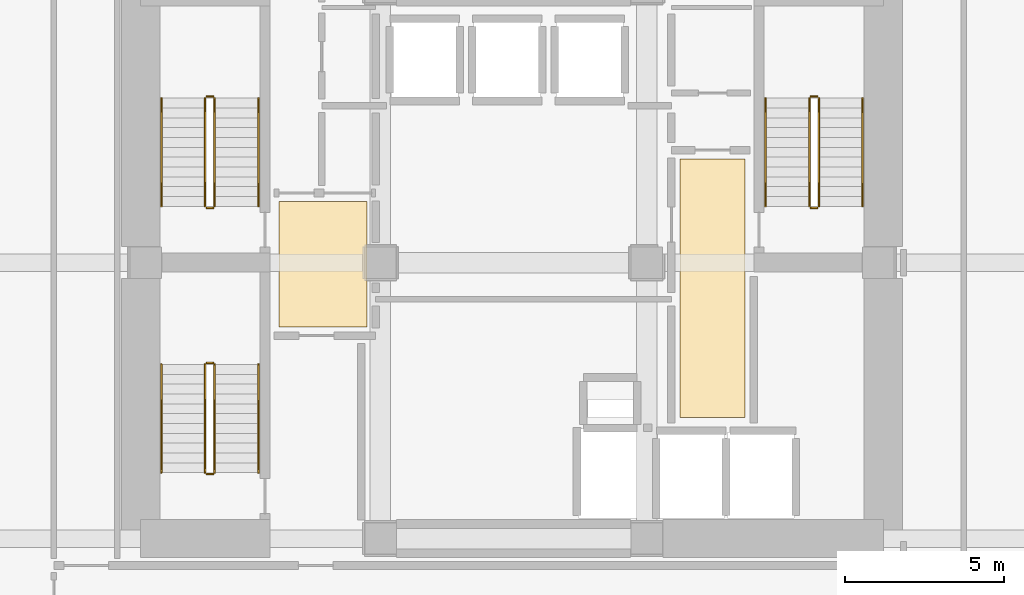
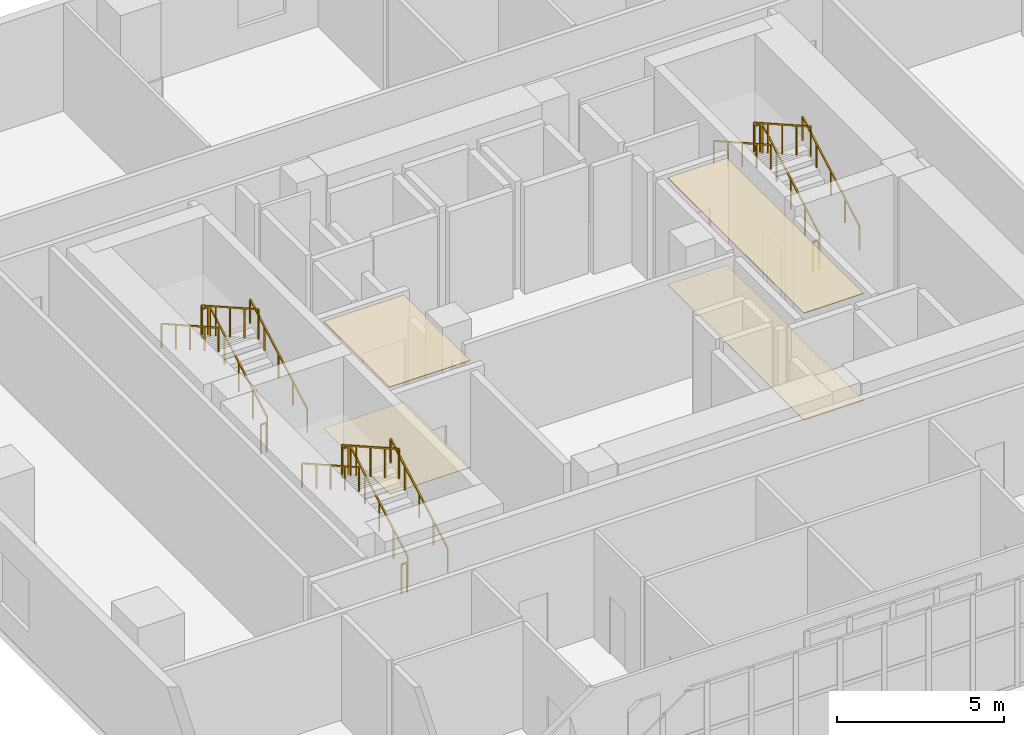
# One storey, part 22 of 24: 18 railings, 4 coverings.
"""IFC4 building model written with IfcOpenShell, lengths in metres."""

from ifc_helpers import new_model, si_unit, direction, frame, origin, origin_2d, place, context, subcontext, project, spatial, polyline, rectangle, outline, extrude, material, layer, layer_set, type_object, element, save


model = new_model("IFC4")

# Units and contexts
model_context = context("Model", 3, precision=1e-05, world=origin(), true_north=direction((0.0, 1.0)))
body_context = subcontext(model_context, "Body", "Model", "MODEL_VIEW")
ifc_project = project(units=[si_unit("LENGTHUNIT", "METRE"), si_unit("AREAUNIT", "SQUARE_METRE"), si_unit("VOLUMEUNIT", "CUBIC_METRE"), si_unit("PLANEANGLEUNIT", "RADIAN"), si_unit("MASSUNIT", "GRAM", prefix="KILO")], contexts=[model_context])

# Site, building, storey
site_placement = place(None, origin())
site = spatial("IfcSite", under=ifc_project, at=site_placement, CompositionType="ELEMENT")
building_placement = place(site_placement, origin())
building = spatial("IfcBuilding", under=site, at=building_placement, Name="Solanera Arch Residences", CompositionType="ELEMENT")
storey_placement = place(building_placement, frame((0.0, 0.0, 5.199951171875)))
storey = spatial("IfcBuildingStorey", under=building, at=storey_placement, Name="L01", CompositionType="ELEMENT", Elevation=5.199951171875)

# Coverings
ifc_material_1 = material(Name="Porcelain Acoustic Floor Tile", Category="ceramic")
ifc_layer_1 = layer(ifc_material_1, 0.02001953125)
ifc_layer_set_1 = layer_set([ifc_layer_1], Name="Porcelain Acoustic Floor Tile")
covering_type_1 = type_object("IfcCoveringType", Name="Porcelain Acoustic Floor Finish FLR-20", PredefinedType="FLOORING", material=ifc_layer_set_1)
covering_1_placement = place(storey_placement, origin())
element("IfcCovering", 1, at=covering_1_placement, inside=storey, type_object=covering_type_1, Name="L01-FFL-W Porcelain Floor Finish", PredefinedType="FLOORING", context=body_context, shape_type="SweptSolid", body=[
    extrude(outline(polyline([(20.375, 28.675048828125), (17.594970703125, 28.675048828125), (17.594970703125, 32.625), (20.375, 32.625), (20.375, 28.675048828125)])), origin(), (0.0, 0.0, 1.0), 0.02001953125),
])
covering_2_placement = place(storey_placement, origin())
element("IfcCovering", 2, at=covering_2_placement, inside=storey, type_object=covering_type_1, Name="L01-FFL-E Porcelain Floor Finish", PredefinedType="FLOORING", context=body_context, shape_type="SweptSolid", body=[
    extrude(outline(polyline([(32.304931640625, 25.824951171875), (30.25, 25.824951171875), (30.25, 33.97509765625), (32.304931640625, 33.97509765625), (32.304931640625, 25.824951171875)])), origin(), (0.0, 0.0, 1.0), 0.02001953125),
])

# Railings
ifc_material_2 = material(Name="Steel S355 (ASTM A992 / A572 Grade 50)", Category="steel")
railing_type_1 = type_object("IfcRailingType", Name="Stair Guardrail GR-1100", PredefinedType="GUARDRAIL", material=ifc_material_2)
railing_1_placement = place(storey_placement, frame((15.570068359375, 32.47998046875, 0.16015625)))
element("IfcRailing", 3, at=railing_1_placement, inside=storey, type_object=railing_type_1, Name="L01 ST-T1 stair guard 1", PredefinedType="GUARDRAIL", context=body_context, shape_type="SweptSolid", body=[
    extrude(rectangle(XDim=0.048095703125, YDim=0.048095703125, at=origin_2d()), frame((0.0, 0.0, 1.076171875), z_axis=(0.0, 0.870840237431, 0.491566151064), x_axis=(-1.0, 0.0, 0.0)), (0.0, 0.0, 1.0), 3.915771484375),
    extrude(rectangle(XDim=0.0419921875, YDim=0.0419921875, at=origin_2d()), origin(), (0.0, 0.0, 1.0), 1.052001953125),
    extrude(rectangle(XDim=0.0419921875, YDim=0.0419921875, at=origin_2d()), frame((0.0, 0.8525390625, 0.481201171875)), (0.0, 0.0, 1.0), 1.052001953125),
    extrude(rectangle(XDim=0.0419921875, YDim=0.0419921875, at=origin_2d()), frame((0.0, 1.705078125, 0.96240234375)), (0.0, 0.0, 1.0), 1.052001953125),
    extrude(rectangle(XDim=0.0419921875, YDim=0.0419921875, at=origin_2d()), frame((0.0, 2.557373046875, 1.443603515625)), (0.0, 0.0, 1.0), 1.052001953125),
    extrude(rectangle(XDim=0.0419921875, YDim=0.0419921875, at=origin_2d()), frame((0.0, 3.409912109375, 1.9248046875)), (0.0, 0.0, 1.0), 1.052001953125),
])
railing_2_placement = place(storey_placement, frame((15.52001953125, 35.93994140625, 2.0849609375)))
element("IfcRailing", 4, at=railing_2_placement, inside=storey, type_object=railing_type_1, Name="L01 ST-T1 stair guard 2", PredefinedType="GUARDRAIL", context=body_context, shape_type="SweptSolid", body=[
    extrude(rectangle(XDim=0.048095703125, YDim=0.048095703125, at=origin_2d()), frame((0.0, 0.0, 1.076171875), z_axis=(-1.0, 0.0, 0.0), x_axis=(0.0, -1.0, 0.0)), (0.0, 0.0, 1.0), 0.199951171875),
    extrude(rectangle(XDim=0.0419921875, YDim=0.0419921875, at=origin_2d()), origin(), (0.0, 0.0, 1.0), 1.052001953125),
    extrude(rectangle(XDim=0.0419921875, YDim=0.0419921875, at=origin_2d()), frame((-0.199951171875, 0.0, 0.0)), (0.0, 0.0, 1.0), 1.052001953125),
])
railing_3_placement = place(storey_placement, frame((15.27001953125, 35.889892578125, 2.260009765625)))
element("IfcRailing", 5, at=railing_3_placement, inside=storey, type_object=railing_type_1, Name="L01 ST-T1 stair guard 3", PredefinedType="GUARDRAIL", context=body_context, shape_type="SweptSolid", body=[
    extrude(rectangle(XDim=0.048095703125, YDim=0.048095703125, at=origin_2d()), frame((0.0, 0.0, 1.076171875), z_axis=(0.0, -0.87081354652, 0.491613432685), x_axis=(1.0, 0.0, 0.0)), (0.0, 0.0, 1.0), 3.915771484375),
    extrude(rectangle(XDim=0.0419921875, YDim=0.0419921875, at=origin_2d()), origin(), (0.0, 0.0, 1.0), 1.052001953125),
    extrude(rectangle(XDim=0.0419921875, YDim=0.0419921875, at=origin_2d()), frame((0.0, -0.8525390625, 0.481201171875)), (0.0, 0.0, 1.0), 1.052001953125),
    extrude(rectangle(XDim=0.0419921875, YDim=0.0419921875, at=origin_2d()), frame((0.0, -1.705078125, 0.96240234375)), (0.0, 0.0, 1.0), 1.052001953125),
    extrude(rectangle(XDim=0.0419921875, YDim=0.0419921875, at=origin_2d()), frame((0.0, -2.557373046875, 1.44384765625)), (0.0, 0.0, 1.0), 1.052001953125),
    extrude(rectangle(XDim=0.0419921875, YDim=0.0419921875, at=origin_2d()), frame((0.0, -3.409912109375, 1.925048828125)), (0.0, 0.0, 1.0), 1.052001953125),
])
railing_4_placement = place(storey_placement, frame((15.52001953125, 32.429931640625, -0.014892578125)))
element("IfcRailing", 6, at=railing_4_placement, inside=storey, type_object=railing_type_1, Name="L01 ST-T1 stair guard 4", PredefinedType="GUARDRAIL", context=body_context, shape_type="SweptSolid", body=[
    extrude(rectangle(XDim=0.048095703125, YDim=0.048095703125, at=origin_2d()), frame((0.0, 0.0, 1.076171875), z_axis=(-1.0, 0.0, 0.0), x_axis=(0.0, -1.0, 0.0)), (0.0, 0.0, 1.0), 0.199951171875),
    extrude(rectangle(XDim=0.0419921875, YDim=0.0419921875, at=origin_2d()), origin(), (0.0, 0.0, 1.0), 1.052001953125),
    extrude(rectangle(XDim=0.0419921875, YDim=0.0419921875, at=origin_2d()), frame((-0.199951171875, 0.0, 0.0)), (0.0, 0.0, 1.0), 1.052001953125),
])
railing_5_placement = place(storey_placement, frame((34.6298828125, 32.47998046875, 0.16015625)))
element("IfcRailing", 7, at=railing_5_placement, inside=storey, type_object=railing_type_1, Name="L01 ST-T2 stair guard 1", PredefinedType="GUARDRAIL", context=body_context, shape_type="SweptSolid", body=[
    extrude(rectangle(XDim=0.048095703125, YDim=0.048095703125, at=origin_2d()), frame((0.0, 0.0, 1.076171875), z_axis=(0.0, 0.870840237431, 0.491566151064), x_axis=(-1.0, 0.0, 0.0)), (0.0, 0.0, 1.0), 3.915771484375),
    extrude(rectangle(XDim=0.0419921875, YDim=0.0419921875, at=origin_2d()), origin(), (0.0, 0.0, 1.0), 1.052001953125),
    extrude(rectangle(XDim=0.0419921875, YDim=0.0419921875, at=origin_2d()), frame((0.0, 0.8525390625, 0.481201171875)), (0.0, 0.0, 1.0), 1.052001953125),
    extrude(rectangle(XDim=0.0419921875, YDim=0.0419921875, at=origin_2d()), frame((0.0, 1.705078125, 0.96240234375)), (0.0, 0.0, 1.0), 1.052001953125),
    extrude(rectangle(XDim=0.0419921875, YDim=0.0419921875, at=origin_2d()), frame((0.0, 2.557373046875, 1.443603515625)), (0.0, 0.0, 1.0), 1.052001953125),
    extrude(rectangle(XDim=0.0419921875, YDim=0.0419921875, at=origin_2d()), frame((0.0, 3.409912109375, 1.9248046875)), (0.0, 0.0, 1.0), 1.052001953125),
])
railing_6_placement = place(storey_placement, frame((34.580078125, 35.93994140625, 2.0849609375)))
element("IfcRailing", 8, at=railing_6_placement, inside=storey, type_object=railing_type_1, Name="L01 ST-T2 stair guard 2", PredefinedType="GUARDRAIL", context=body_context, shape_type="SweptSolid", body=[
    extrude(rectangle(XDim=0.048095703125, YDim=0.048095703125, at=origin_2d()), frame((0.0, 0.0, 1.076171875), z_axis=(-1.0, 0.0, 0.0), x_axis=(0.0, -1.0, 0.0)), (0.0, 0.0, 1.0), 0.2001953125),
    extrude(rectangle(XDim=0.0419921875, YDim=0.0419921875, at=origin_2d()), origin(), (0.0, 0.0, 1.0), 1.052001953125),
    extrude(rectangle(XDim=0.0419921875, YDim=0.0419921875, at=origin_2d()), frame((-0.2001953125, 0.0, 0.0)), (0.0, 0.0, 1.0), 1.052001953125),
])
railing_7_placement = place(storey_placement, frame((34.330078125, 35.889892578125, 2.260009765625)))
element("IfcRailing", 9, at=railing_7_placement, inside=storey, type_object=railing_type_1, Name="L01 ST-T2 stair guard 3", PredefinedType="GUARDRAIL", context=body_context, shape_type="SweptSolid", body=[
    extrude(rectangle(XDim=0.048095703125, YDim=0.048095703125, at=origin_2d()), frame((0.0, 0.0, 1.076171875), z_axis=(0.0, -0.87081354652, 0.491613432685), x_axis=(1.0, 0.0, 0.0)), (0.0, 0.0, 1.0), 3.915771484375),
    extrude(rectangle(XDim=0.0419921875, YDim=0.0419921875, at=origin_2d()), origin(), (0.0, 0.0, 1.0), 1.052001953125),
    extrude(rectangle(XDim=0.0419921875, YDim=0.0419921875, at=origin_2d()), frame((0.0, -0.8525390625, 0.481201171875)), (0.0, 0.0, 1.0), 1.052001953125),
    extrude(rectangle(XDim=0.0419921875, YDim=0.0419921875, at=origin_2d()), frame((0.0, -1.705078125, 0.96240234375)), (0.0, 0.0, 1.0), 1.052001953125),
    extrude(rectangle(XDim=0.0419921875, YDim=0.0419921875, at=origin_2d()), frame((0.0, -2.557373046875, 1.44384765625)), (0.0, 0.0, 1.0), 1.052001953125),
    extrude(rectangle(XDim=0.0419921875, YDim=0.0419921875, at=origin_2d()), frame((0.0, -3.409912109375, 1.925048828125)), (0.0, 0.0, 1.0), 1.052001953125),
])
railing_8_placement = place(storey_placement, frame((34.580078125, 32.429931640625, -0.014892578125)))
element("IfcRailing", 10, at=railing_8_placement, inside=storey, type_object=railing_type_1, Name="L01 ST-T2 stair guard 4", PredefinedType="GUARDRAIL", context=body_context, shape_type="SweptSolid", body=[
    extrude(rectangle(XDim=0.048095703125, YDim=0.048095703125, at=origin_2d()), frame((0.0, 0.0, 1.076171875), z_axis=(-1.0, 0.0, 0.0), x_axis=(0.0, -1.0, 0.0)), (0.0, 0.0, 1.0), 0.2001953125),
    extrude(rectangle(XDim=0.0419921875, YDim=0.0419921875, at=origin_2d()), origin(), (0.0, 0.0, 1.0), 1.052001953125),
    extrude(rectangle(XDim=0.0419921875, YDim=0.0419921875, at=origin_2d()), frame((-0.2001953125, 0.0, 0.0)), (0.0, 0.0, 1.0), 1.052001953125),
])
railing_9_placement = place(storey_placement, frame((15.570068359375, 24.080078125, 0.16015625)))
element("IfcRailing", 11, at=railing_9_placement, inside=storey, type_object=railing_type_1, Name="L01 ST-T3 stair guard 1", PredefinedType="GUARDRAIL", context=body_context, shape_type="SweptSolid", body=[
    extrude(rectangle(XDim=0.048095703125, YDim=0.048095703125, at=origin_2d()), frame((0.0, 0.0, 1.076171875), z_axis=(0.0, 0.870840237431, 0.491566151064), x_axis=(-1.0, 0.0, 0.0)), (0.0, 0.0, 1.0), 3.915771484375),
    extrude(rectangle(XDim=0.0419921875, YDim=0.0419921875, at=origin_2d()), origin(), (0.0, 0.0, 1.0), 1.052001953125),
    extrude(rectangle(XDim=0.0419921875, YDim=0.0419921875, at=origin_2d()), frame((0.0, 0.8525390625, 0.481201171875)), (0.0, 0.0, 1.0), 1.052001953125),
    extrude(rectangle(XDim=0.0419921875, YDim=0.0419921875, at=origin_2d()), frame((0.0, 1.705078125, 0.96240234375)), (0.0, 0.0, 1.0), 1.052001953125),
    extrude(rectangle(XDim=0.0419921875, YDim=0.0419921875, at=origin_2d()), frame((0.0, 2.557373046875, 1.443603515625)), (0.0, 0.0, 1.0), 1.052001953125),
    extrude(rectangle(XDim=0.0419921875, YDim=0.0419921875, at=origin_2d()), frame((0.0, 3.409912109375, 1.9248046875)), (0.0, 0.0, 1.0), 1.052001953125),
])
railing_10_placement = place(storey_placement, frame((15.52001953125, 27.5400390625, 2.0849609375)))
element("IfcRailing", 12, at=railing_10_placement, inside=storey, type_object=railing_type_1, Name="L01 ST-T3 stair guard 2", PredefinedType="GUARDRAIL", context=body_context, shape_type="SweptSolid", body=[
    extrude(rectangle(XDim=0.048095703125, YDim=0.048095703125, at=origin_2d()), frame((0.0, 0.0, 1.076171875), z_axis=(-1.0, 0.0, 0.0), x_axis=(0.0, -1.0, 0.0)), (0.0, 0.0, 1.0), 0.199951171875),
    extrude(rectangle(XDim=0.0419921875, YDim=0.0419921875, at=origin_2d()), origin(), (0.0, 0.0, 1.0), 1.052001953125),
    extrude(rectangle(XDim=0.0419921875, YDim=0.0419921875, at=origin_2d()), frame((-0.199951171875, 0.0, 0.0)), (0.0, 0.0, 1.0), 1.052001953125),
])
railing_11_placement = place(storey_placement, frame((15.27001953125, 27.489990234375, 2.260009765625)))
element("IfcRailing", 13, at=railing_11_placement, inside=storey, type_object=railing_type_1, Name="L01 ST-T3 stair guard 3", PredefinedType="GUARDRAIL", context=body_context, shape_type="SweptSolid", body=[
    extrude(rectangle(XDim=0.048095703125, YDim=0.048095703125, at=origin_2d()), frame((0.0, 0.0, 1.076171875), z_axis=(0.0, -0.87081354652, 0.491613432685), x_axis=(1.0, 0.0, 0.0)), (0.0, 0.0, 1.0), 3.915771484375),
    extrude(rectangle(XDim=0.0419921875, YDim=0.0419921875, at=origin_2d()), origin(), (0.0, 0.0, 1.0), 1.052001953125),
    extrude(rectangle(XDim=0.0419921875, YDim=0.0419921875, at=origin_2d()), frame((0.0, -0.8525390625, 0.481201171875)), (0.0, 0.0, 1.0), 1.052001953125),
    extrude(rectangle(XDim=0.0419921875, YDim=0.0419921875, at=origin_2d()), frame((0.0, -1.705078125, 0.96240234375)), (0.0, 0.0, 1.0), 1.052001953125),
    extrude(rectangle(XDim=0.0419921875, YDim=0.0419921875, at=origin_2d()), frame((0.0, -2.557373046875, 1.44384765625)), (0.0, 0.0, 1.0), 1.052001953125),
    extrude(rectangle(XDim=0.0419921875, YDim=0.0419921875, at=origin_2d()), frame((0.0, -3.409912109375, 1.925048828125)), (0.0, 0.0, 1.0), 1.052001953125),
])
railing_12_placement = place(storey_placement, frame((15.52001953125, 24.030029296875, -0.014892578125)))
element("IfcRailing", 14, at=railing_12_placement, inside=storey, type_object=railing_type_1, Name="L01 ST-T3 stair guard 4", PredefinedType="GUARDRAIL", context=body_context, shape_type="SweptSolid", body=[
    extrude(rectangle(XDim=0.048095703125, YDim=0.048095703125, at=origin_2d()), frame((0.0, 0.0, 1.076171875), z_axis=(-1.0, 0.0, 0.0), x_axis=(0.0, -1.0, 0.0)), (0.0, 0.0, 1.0), 0.199951171875),
    extrude(rectangle(XDim=0.0419921875, YDim=0.0419921875, at=origin_2d()), origin(), (0.0, 0.0, 1.0), 1.052001953125),
    extrude(rectangle(XDim=0.0419921875, YDim=0.0419921875, at=origin_2d()), frame((-0.199951171875, 0.0, 0.0)), (0.0, 0.0, 1.0), 1.052001953125),
])
ifc_material_3 = material(Name="Steel S355 (ASTM A992 / A572 Grade 50)", Category="steel")
railing_type_2 = type_object("IfcRailingType", Name="Stair Wall Handrail HR-920", PredefinedType="HANDRAIL", material=ifc_material_3)
railing_13_placement = place(storey_placement, frame((16.949951171875, 32.47998046875, 0.175048828125)))
element("IfcRailing", 15, at=railing_13_placement, inside=storey, type_object=railing_type_2, Name="L01 ST-T1 stair handrail 1", PredefinedType="HANDRAIL", context=body_context, shape_type="SweptSolid", body=[
    extrude(rectangle(XDim=0.048095703125, YDim=0.048095703125, at=origin_2d()), frame((0.0, 0.0, 0.8759765625), z_axis=(0.0, 0.87081354652, 0.491613432685), x_axis=(-1.0, 0.0, 0.0)), (0.0, 0.0, 1.0), 3.915771484375),
    extrude(rectangle(XDim=0.0419921875, YDim=0.0419921875, at=origin_2d()), origin(), (0.0, 0.0, 1.0), 0.851806640625),
    extrude(rectangle(XDim=0.0419921875, YDim=0.0419921875, at=origin_2d()), frame((0.0, 0.8525390625, 0.481201171875)), (0.0, 0.0, 1.0), 0.851806640625),
    extrude(rectangle(XDim=0.0419921875, YDim=0.0419921875, at=origin_2d()), frame((0.0, 1.705078125, 0.96240234375)), (0.0, 0.0, 1.0), 0.851806640625),
    extrude(rectangle(XDim=0.0419921875, YDim=0.0419921875, at=origin_2d()), frame((0.0, 2.557373046875, 1.44384765625)), (0.0, 0.0, 1.0), 0.851806640625),
    extrude(rectangle(XDim=0.0419921875, YDim=0.0419921875, at=origin_2d()), frame((0.0, 3.409912109375, 1.925048828125)), (0.0, 0.0, 1.0), 0.851806640625),
])
railing_14_placement = place(storey_placement, frame((13.889892578125, 35.889892578125, 2.275146484375)))
element("IfcRailing", 16, at=railing_14_placement, inside=storey, type_object=railing_type_2, Name="L01 ST-T1 stair handrail 2", PredefinedType="HANDRAIL", context=body_context, shape_type="SweptSolid", body=[
    extrude(rectangle(XDim=0.048095703125, YDim=0.048095703125, at=origin_2d()), frame((0.0, 0.0, 0.8759765625), z_axis=(0.0, -0.870840237431, 0.491566151064), x_axis=(1.0, 0.0, 0.0)), (0.0, 0.0, 1.0), 3.915771484375),
    extrude(rectangle(XDim=0.0419921875, YDim=0.0419921875, at=origin_2d()), origin(), (0.0, 0.0, 1.0), 0.851806640625),
    extrude(rectangle(XDim=0.0419921875, YDim=0.0419921875, at=origin_2d()), frame((0.0, -0.8525390625, 0.481201171875)), (0.0, 0.0, 1.0), 0.851806640625),
    extrude(rectangle(XDim=0.0419921875, YDim=0.0419921875, at=origin_2d()), frame((0.0, -1.705078125, 0.96240234375)), (0.0, 0.0, 1.0), 0.851806640625),
    extrude(rectangle(XDim=0.0419921875, YDim=0.0419921875, at=origin_2d()), frame((0.0, -2.557373046875, 1.443603515625)), (0.0, 0.0, 1.0), 0.851806640625),
    extrude(rectangle(XDim=0.0419921875, YDim=0.0419921875, at=origin_2d()), frame((0.0, -3.409912109375, 1.9248046875)), (0.0, 0.0, 1.0), 0.851806640625),
])
railing_15_placement = place(storey_placement, frame((36.010009765625, 32.47998046875, 0.175048828125)))
element("IfcRailing", 17, at=railing_15_placement, inside=storey, type_object=railing_type_2, Name="L01 ST-T2 stair handrail 1", PredefinedType="HANDRAIL", context=body_context, shape_type="SweptSolid", body=[
    extrude(rectangle(XDim=0.048095703125, YDim=0.048095703125, at=origin_2d()), frame((0.0, 0.0, 0.8759765625), z_axis=(0.0, 0.87081354652, 0.491613432685), x_axis=(-1.0, 0.0, 0.0)), (0.0, 0.0, 1.0), 3.915771484375),
    extrude(rectangle(XDim=0.0419921875, YDim=0.0419921875, at=origin_2d()), origin(), (0.0, 0.0, 1.0), 0.851806640625),
    extrude(rectangle(XDim=0.0419921875, YDim=0.0419921875, at=origin_2d()), frame((0.0, 0.8525390625, 0.481201171875)), (0.0, 0.0, 1.0), 0.851806640625),
    extrude(rectangle(XDim=0.0419921875, YDim=0.0419921875, at=origin_2d()), frame((0.0, 1.705078125, 0.96240234375)), (0.0, 0.0, 1.0), 0.851806640625),
    extrude(rectangle(XDim=0.0419921875, YDim=0.0419921875, at=origin_2d()), frame((0.0, 2.557373046875, 1.44384765625)), (0.0, 0.0, 1.0), 0.851806640625),
    extrude(rectangle(XDim=0.0419921875, YDim=0.0419921875, at=origin_2d()), frame((0.0, 3.409912109375, 1.925048828125)), (0.0, 0.0, 1.0), 0.851806640625),
])
railing_16_placement = place(storey_placement, frame((32.949951171875, 35.889892578125, 2.275146484375)))
element("IfcRailing", 18, at=railing_16_placement, inside=storey, type_object=railing_type_2, Name="L01 ST-T2 stair handrail 2", PredefinedType="HANDRAIL", context=body_context, shape_type="SweptSolid", body=[
    extrude(rectangle(XDim=0.048095703125, YDim=0.048095703125, at=origin_2d()), frame((0.0, 0.0, 0.8759765625), z_axis=(0.0, -0.870840237431, 0.491566151064), x_axis=(1.0, 0.0, 0.0)), (0.0, 0.0, 1.0), 3.915771484375),
    extrude(rectangle(XDim=0.0419921875, YDim=0.0419921875, at=origin_2d()), origin(), (0.0, 0.0, 1.0), 0.851806640625),
    extrude(rectangle(XDim=0.0419921875, YDim=0.0419921875, at=origin_2d()), frame((0.0, -0.8525390625, 0.481201171875)), (0.0, 0.0, 1.0), 0.851806640625),
    extrude(rectangle(XDim=0.0419921875, YDim=0.0419921875, at=origin_2d()), frame((0.0, -1.705078125, 0.96240234375)), (0.0, 0.0, 1.0), 0.851806640625),
    extrude(rectangle(XDim=0.0419921875, YDim=0.0419921875, at=origin_2d()), frame((0.0, -2.557373046875, 1.443603515625)), (0.0, 0.0, 1.0), 0.851806640625),
    extrude(rectangle(XDim=0.0419921875, YDim=0.0419921875, at=origin_2d()), frame((0.0, -3.409912109375, 1.9248046875)), (0.0, 0.0, 1.0), 0.851806640625),
])
railing_17_placement = place(storey_placement, frame((16.949951171875, 24.080078125, 0.175048828125)))
element("IfcRailing", 19, at=railing_17_placement, inside=storey, type_object=railing_type_2, Name="L01 ST-T3 stair handrail 1", PredefinedType="HANDRAIL", context=body_context, shape_type="SweptSolid", body=[
    extrude(rectangle(XDim=0.048095703125, YDim=0.048095703125, at=origin_2d()), frame((0.0, 0.0, 0.8759765625), z_axis=(0.0, 0.87081354652, 0.491613432685), x_axis=(-1.0, 0.0, 0.0)), (0.0, 0.0, 1.0), 3.915771484375),
    extrude(rectangle(XDim=0.0419921875, YDim=0.0419921875, at=origin_2d()), origin(), (0.0, 0.0, 1.0), 0.851806640625),
    extrude(rectangle(XDim=0.0419921875, YDim=0.0419921875, at=origin_2d()), frame((0.0, 0.8525390625, 0.481201171875)), (0.0, 0.0, 1.0), 0.851806640625),
    extrude(rectangle(XDim=0.0419921875, YDim=0.0419921875, at=origin_2d()), frame((0.0, 1.705078125, 0.96240234375)), (0.0, 0.0, 1.0), 0.851806640625),
    extrude(rectangle(XDim=0.0419921875, YDim=0.0419921875, at=origin_2d()), frame((0.0, 2.557373046875, 1.44384765625)), (0.0, 0.0, 1.0), 0.851806640625),
    extrude(rectangle(XDim=0.0419921875, YDim=0.0419921875, at=origin_2d()), frame((0.0, 3.409912109375, 1.925048828125)), (0.0, 0.0, 1.0), 0.851806640625),
])
railing_18_placement = place(storey_placement, frame((13.889892578125, 27.489990234375, 2.275146484375)))
element("IfcRailing", 20, at=railing_18_placement, inside=storey, type_object=railing_type_2, Name="L01 ST-T3 stair handrail 2", PredefinedType="HANDRAIL", context=body_context, shape_type="SweptSolid", body=[
    extrude(rectangle(XDim=0.048095703125, YDim=0.048095703125, at=origin_2d()), frame((0.0, 0.0, 0.8759765625), z_axis=(0.0, -0.870840237431, 0.491566151064), x_axis=(1.0, 0.0, 0.0)), (0.0, 0.0, 1.0), 3.915771484375),
    extrude(rectangle(XDim=0.0419921875, YDim=0.0419921875, at=origin_2d()), origin(), (0.0, 0.0, 1.0), 0.851806640625),
    extrude(rectangle(XDim=0.0419921875, YDim=0.0419921875, at=origin_2d()), frame((0.0, -0.8525390625, 0.481201171875)), (0.0, 0.0, 1.0), 0.851806640625),
    extrude(rectangle(XDim=0.0419921875, YDim=0.0419921875, at=origin_2d()), frame((0.0, -1.705078125, 0.96240234375)), (0.0, 0.0, 1.0), 0.851806640625),
    extrude(rectangle(XDim=0.0419921875, YDim=0.0419921875, at=origin_2d()), frame((0.0, -2.557373046875, 1.443603515625)), (0.0, 0.0, 1.0), 0.851806640625),
    extrude(rectangle(XDim=0.0419921875, YDim=0.0419921875, at=origin_2d()), frame((0.0, -3.409912109375, 1.9248046875)), (0.0, 0.0, 1.0), 0.851806640625),
])

# Coverings
ifc_material_4 = material(Name="Mineral Fibre Acoustic Ceiling Board", Category="gypsum")
ifc_layer_2 = layer(ifc_material_4, 0.02490234375)
ifc_layer_set_2 = layer_set([ifc_layer_2], Name="Mineral Fibre Acoustic Ceiling Board")
covering_type_2 = type_object("IfcCoveringType", Name="Suspended Acoustic Ceiling Board CLG-25", PredefinedType="CEILING", material=ifc_layer_set_2)
covering_3_placement = place(storey_placement, frame((0.0, 0.0, 3.89501953125)))
element("IfcCovering", 21, at=covering_3_placement, inside=storey, type_object=covering_type_2, Name="L01-FFL-W Acoustic Ceiling", PredefinedType="CEILING", context=body_context, shape_type="SweptSolid", body=[
    extrude(outline(polyline([(20.375, 28.675048828125), (17.594970703125, 28.675048828125), (17.594970703125, 32.625), (20.375, 32.625), (20.375, 28.675048828125)])), origin(), (0.0, 0.0, 1.0), 0.025146484375),
])
covering_4_placement = place(storey_placement, frame((0.0, 0.0, 3.89501953125)))
element("IfcCovering", 22, at=covering_4_placement, inside=storey, type_object=covering_type_2, Name="L01-FFL-E Acoustic Ceiling", PredefinedType="CEILING", context=body_context, shape_type="SweptSolid", body=[
    extrude(outline(polyline([(32.304931640625, 25.824951171875), (30.25, 25.824951171875), (30.25, 33.97509765625), (32.304931640625, 33.97509765625), (32.304931640625, 25.824951171875)])), origin(), (0.0, 0.0, 1.0), 0.025146484375),
])

save(model, "model.ifc")
